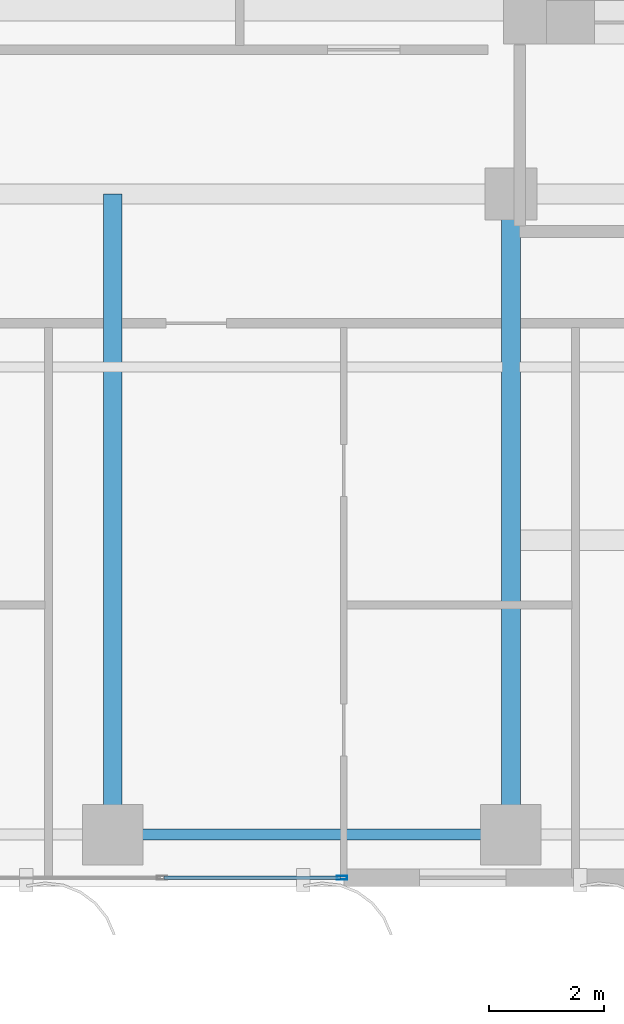
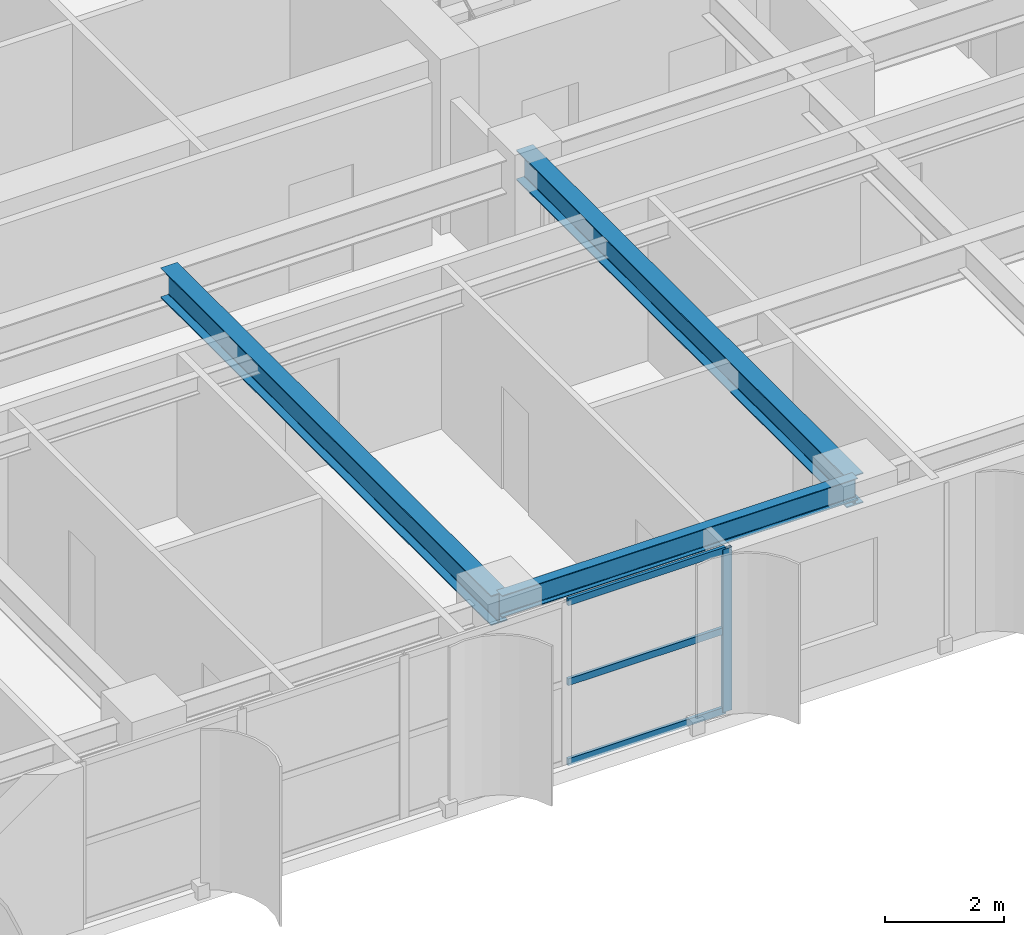
# One storey, part 3 of 19: 4 members, 3 beams, 1 element without a shape of its own.
"""IFC4 building model written with IfcOpenShell, lengths in metres."""

from ifc_helpers import new_model, si_unit, direction, frame, origin, origin_2d, place, context, subcontext, project, spatial, hollow_rectangle, i_section, extrude, source, transform, mapped, material, layer, layer_set, material_profile, profile_set, type_object, element, aggregate, save


model = new_model("IFC4")

# Units and contexts
model_context = context("Model", 3, precision=1e-05, world=origin(), true_north=direction((0.0, 1.0)))
body_context = subcontext(model_context, "Body", "Model", "MODEL_VIEW")
ifc_project = project(units=[si_unit("LENGTHUNIT", "METRE"), si_unit("AREAUNIT", "SQUARE_METRE"), si_unit("VOLUMEUNIT", "CUBIC_METRE"), si_unit("PLANEANGLEUNIT", "RADIAN"), si_unit("MASSUNIT", "GRAM", prefix="KILO")], contexts=[model_context])

# Site, building, storey
site_placement = place(None, origin())
site = spatial("IfcSite", under=ifc_project, at=site_placement, CompositionType="ELEMENT")
building_placement = place(site_placement, origin())
building = spatial("IfcBuilding", under=site, at=building_placement, Name="Khoralis Quay Care Tower", CompositionType="ELEMENT")
storey_placement = place(building_placement, frame((0.0, 0.0, 90.89990234375)))
storey = spatial("IfcBuildingStorey", under=building, at=storey_placement, Name="L23", CompositionType="ELEMENT", Elevation=90.89990234375)

# Beams
ifc_material_1 = material(Name="Steel S355", Category="steel")
ifc_material_profile_1 = material_profile(ifc_material_1, i_section(OverallWidth=0.18994140625, OverallDepth=0.449951171875, WebThickness=0.009521484375, FlangeThickness=0.0146484375, FilletRadius=0.02099609375, at=origin_2d()), Name="Steel S355")
ifc_profile_set_1 = profile_set([ifc_material_profile_1], Name="Steel S355")
beam_type_1 = type_object("IfcBeamType", Name="BM-IPE450", PredefinedType="SPANDREL", material=ifc_profile_set_1)
shared_shape_1 = source(origin(), body_context, "Body", "SweptSolid", [
    extrude(i_section(OverallWidth=0.18994140625, OverallDepth=0.449951171875, WebThickness=0.009521484375, FlangeThickness=0.0146484375, FilletRadius=0.02099609375, at=origin_2d()), origin(), (0.0, 0.0, 1.0), 6.89990234375),
])
beam_placement = place(storey_placement, frame((24.0, 0.89990234375, 3.114990234375), z_axis=(1.0, 0.0, 0.0), x_axis=(0.0, 1.0, 0.0)))
element("IfcBeam", 1, at=beam_placement, inside=storey, type_object=beam_type_1, Name="BM-TSP-L23-04", PredefinedType="SPANDREL", context=body_context, shape_type="MappedRepresentation", body=[
    mapped(shared_shape_1, transform((0.0, 0.0, 0.0), scale=1.0)),
])
ifc_material_profile_2 = material_profile(ifc_material_1, i_section(OverallWidth=0.324951171875, OverallDepth=0.615966796875, WebThickness=0.013916015625, FlangeThickness=0.021484375, FilletRadius=0.01806640625, at=origin_2d()), Name="Steel S355")
ifc_profile_set_2 = profile_set([ifc_material_profile_2], Name="Steel S355")
beam_type_2 = type_object("IfcBeamType", Name="BM-W610X174", PredefinedType="BEAM", material=ifc_profile_set_2)
shared_shape_2 = source(origin(), body_context, "Body", "SweptSolid", [
    extrude(i_section(OverallWidth=0.324951171875, OverallDepth=0.615966796875, WebThickness=0.013916015625, FlangeThickness=0.021484375, FilletRadius=0.01806640625, at=origin_2d()), origin(), (0.0, 0.0, 1.0), 11.10009765625),
])
for number, where, z_axis, x_axis, name in (
    (2, (24.0, 0.89990234375, 3.031982421875), (0.0, 1.0, 0.0), (-1.0, 0.0, 0.0), "BM-TGYS-L23-240"),
    (3, (30.89990234375, 0.89990234375, 3.031982421875), (0.0, 1.0, 0.0), (-1.0, 0.0, 0.0), "BM-TGYS-L23-309"),
):
    element("IfcBeam", number, at=place(storey_placement, frame(where, z_axis=z_axis, x_axis=x_axis)), inside=storey, type_object=beam_type_2, Name=name, PredefinedType="BEAM", context=body_context, shape_type="MappedRepresentation", body=[
        mapped(shared_shape_2, transform((0.0, 0.0, 0.0), scale=1.0)),
    ])

# Curtain wall, members
ifc_material_2 = material(Name="Pale anodised aluminium", Category="aluminium")
ifc_layer = layer(ifc_material_2, 0.169921875)
ifc_layer_set = layer_set([ifc_layer], Name="Pale anodised aluminium")
curtain_wall_type = type_object("IfcCurtainWallType", Name="CW-SYS-Z2", PredefinedType="NOTDEFINED", material=ifc_layer_set)
curtain_wall_placement = place(storey_placement, origin())
curtain_wall = element("IfcCurtainWall", 4, at=curtain_wall_placement, inside=storey, type_object=curtain_wall_type, Name="L23 Unitised Curtain Wall CW-L23-P1-E0", PredefinedType="NOTDEFINED")
ifc_material_profile_3 = material_profile(ifc_material_2, hollow_rectangle(XDim=0.06494140625, YDim=0.179931640625, WallThickness=0.00390625, at=origin_2d()), Name="Pale anodised aluminium")
ifc_profile_set_3 = profile_set([ifc_material_profile_3], Name="Pale anodised aluminium")
member_type_1 = type_object("IfcMemberType", Name="CW-MUL-180", PredefinedType="MULLION", material=ifc_profile_set_3)
shared_shape_3 = source(origin(), body_context, "Body", "SweptSolid", [
    extrude(hollow_rectangle(XDim=0.06494140625, YDim=0.179931640625, WallThickness=0.00390625, at=origin_2d()), origin(), (0.0, 0.0, 1.0), 3.340087890625),
])
member_1_placement = place(storey_placement, frame((27.972900390625, 0.14990234375, 0.0), z_axis=(0.0, 0.0, 1.0), x_axis=(0.0, 1.0, 0.0)))
member_1 = element("IfcMember", 5, at=member_1_placement, type_object=member_type_1, Name="CW2 mullion 5", PredefinedType="MULLION", context=body_context, shape_type="MappedRepresentation", body=[
    mapped(shared_shape_3, transform((0.0, 0.0, 0.0), scale=1.0)),
])
ifc_material_profile_4 = material_profile(ifc_material_2, hollow_rectangle(XDim=0.06005859375, YDim=0.139892578125, WallThickness=0.00390625, at=origin_2d()), Name="Pale anodised aluminium")
ifc_profile_set_4 = profile_set([ifc_material_profile_4], Name="Pale anodised aluminium")
member_type_2 = type_object("IfcMemberType", Name="CW-TRN-140", PredefinedType="USERDEFINED", material=ifc_profile_set_4)
shared_shape_4 = source(origin(), body_context, "Body", "SweptSolid", [
    extrude(hollow_rectangle(XDim=0.06005859375, YDim=0.139892578125, WallThickness=0.00390625, at=origin_2d()), origin(), (0.0, 0.0, 1.0), 3.058349609375),
])
member_2_placement = place(storey_placement, frame((24.884765625, 0.14990234375, 0.030029296875), z_axis=(1.0, 0.0, 0.0), x_axis=(0.0, 1.0, 0.0)))
member_2 = element("IfcMember", 6, at=member_2_placement, type_object=member_type_2, Name="CW2 transom 4.1", ObjectType="TRANSOM", PredefinedType="USERDEFINED", context=body_context, shape_type="MappedRepresentation", body=[
    mapped(shared_shape_4, transform((0.0, 0.0, 0.0), scale=1.0)),
])
member_3_placement = place(storey_placement, frame((24.884765625, 0.14990234375, 1.670166015625), z_axis=(1.0, 0.0, 0.0), x_axis=(0.0, 1.0, 0.0)))
member_3 = element("IfcMember", 7, at=member_3_placement, type_object=member_type_2, Name="CW2 transom 4.2", ObjectType="TRANSOM", PredefinedType="USERDEFINED", context=body_context, shape_type="MappedRepresentation", body=[
    mapped(shared_shape_4, transform((0.0, 0.0, 0.0), scale=1.0)),
])
member_4_placement = place(storey_placement, frame((24.884765625, 0.14990234375, 3.31005859375), z_axis=(1.0, 0.0, 0.0), x_axis=(0.0, 1.0, 0.0)))
member_4 = element("IfcMember", 8, at=member_4_placement, type_object=member_type_2, Name="CW2 transom 4.3", ObjectType="TRANSOM", PredefinedType="USERDEFINED", context=body_context, shape_type="MappedRepresentation", body=[
    mapped(shared_shape_4, transform((0.0, 0.0, 0.0), scale=1.0)),
])
aggregate(curtain_wall, [member_1, member_2, member_3, member_4])

save(model, "model.ifc")
